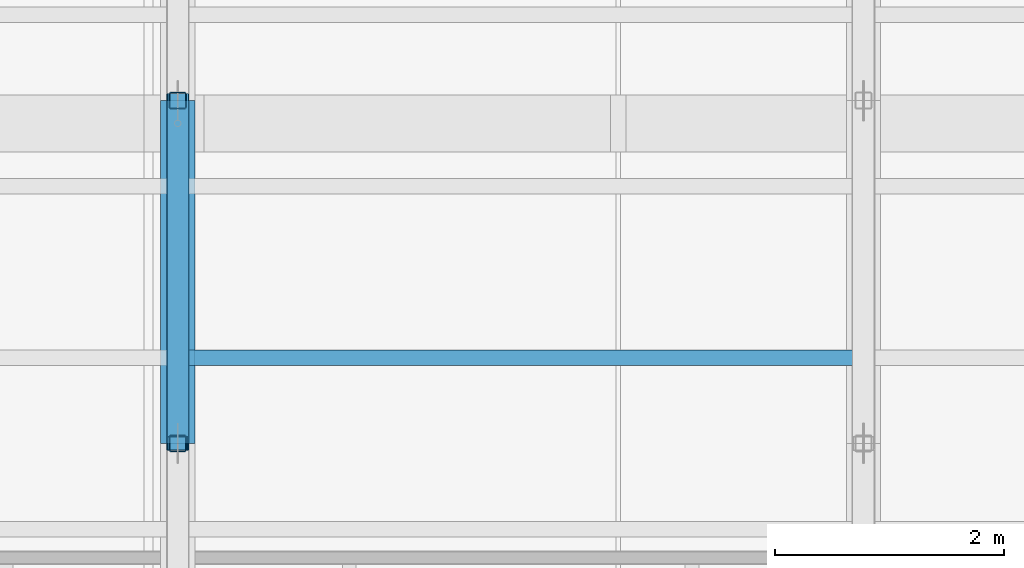
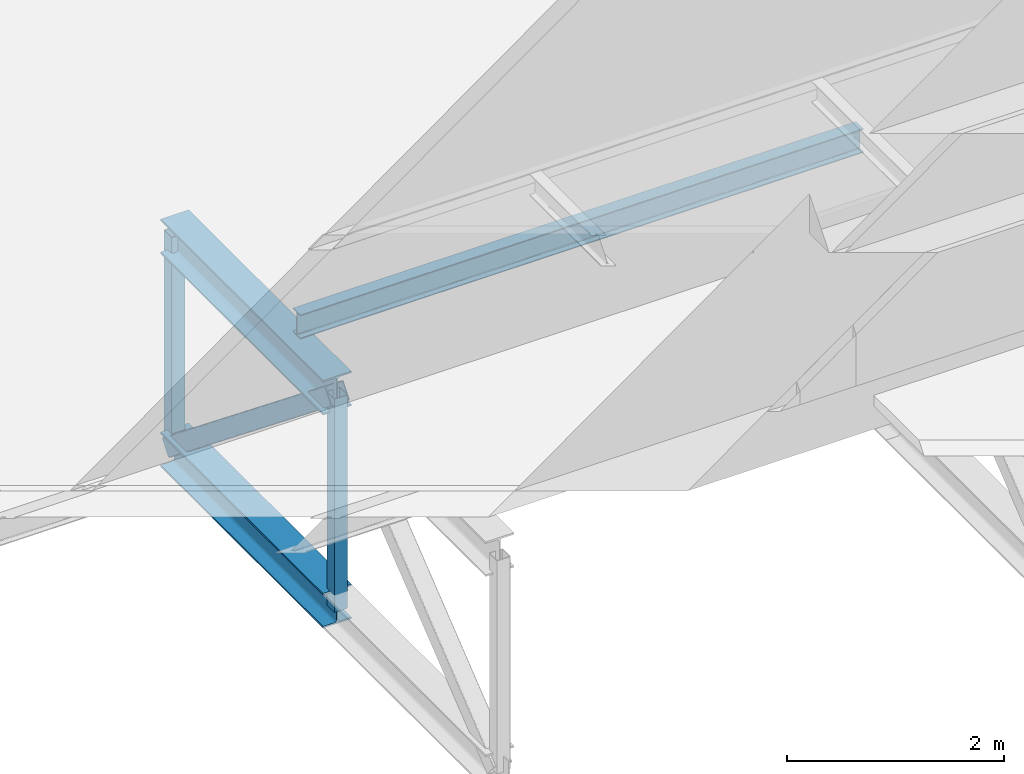
# One storey, part 6 of 55: 5 members, 1 beam.
"""IFC4 building model written with IfcOpenShell, lengths in metres."""

from ifc_helpers import new_model, si_unit, direction, frame, origin, origin_2d, place, context, subcontext, project, spatial, hollow_rectangle, i_section, extrude, material, material_profile, profile_set, type_object, element, save


model = new_model("IFC4")

# Units and contexts
model_context = context("Model", 3, precision=1e-05, world=origin(), true_north=direction((0.0, 1.0)))
body_context = subcontext(model_context, "Body", "Model", "MODEL_VIEW")
ifc_project = project(units=[si_unit("LENGTHUNIT", "METRE"), si_unit("AREAUNIT", "SQUARE_METRE"), si_unit("VOLUMEUNIT", "CUBIC_METRE"), si_unit("PLANEANGLEUNIT", "RADIAN"), si_unit("MASSUNIT", "GRAM", prefix="KILO")], contexts=[model_context])

# Site, building, storey
site_placement = place(None, origin())
site = spatial("IfcSite", under=ifc_project, at=site_placement, CompositionType="ELEMENT")
building_placement = place(site_placement, origin())
building = spatial("IfcBuilding", under=site, at=building_placement, Name="Lunette Opera House", CompositionType="ELEMENT")
storey_placement = place(building_placement, frame((0.0, 0.0, 34.0)))
storey = spatial("IfcBuildingStorey", under=building, at=storey_placement, Name="L06", CompositionType="ELEMENT", Elevation=34.0)

# Members
ifc_material_1 = material(Name="Steel S355", Category="steel")
ifc_material_profile_1 = material_profile(ifc_material_1, i_section(OverallWidth=0.300048828125, OverallDepth=0.389892578125, WebThickness=0.010986328125, FlangeThickness=0.01904296875, FilletRadius=0.027099609375, at=origin_2d()), Name="HEA 400")
ifc_profile_set_1 = profile_set([ifc_material_profile_1], Name="Steel S355")
member_type_1 = type_object("IfcMemberType", Name="CHORD HEA 400", PredefinedType="CHORD", material=ifc_profile_set_1)
for number, where, z_axis, x_axis, name in (
    (1, (90.0, 99.0, -0.6650390625), (0.0, 1.0, 0.0), (-1.0, 0.0, 0.0), "mem-ST-L06-ST-TR01-TC2"),
    (2, (90.0, 99.0, -3.06494140625), (0.0, 1.0, 0.0), (-1.0, 0.0, 0.0), "mem-ST-L06-ST-TR01-BC2"),
):
    element("IfcMember", number, at=place(storey_placement, frame(where, z_axis=z_axis, x_axis=x_axis)), inside=storey, type_object=member_type_1, Name=name, PredefinedType="CHORD", context=body_context, shape_type="SweptSolid", body=[
        extrude(i_section(OverallWidth=0.300048828125, OverallDepth=0.389892578125, WebThickness=0.010986328125, FlangeThickness=0.01904296875, FilletRadius=0.027099609375, at=origin_2d()), origin(), (0.0, 0.0, 1.0), 3.0),
    ])
ifc_material_2 = material(Name="Steel S355", Category="steel")
ifc_material_profile_2 = material_profile(ifc_material_2, hollow_rectangle(XDim=0.199951171875, YDim=0.199951171875, WallThickness=0.008056640625, InnerFilletRadius=0.008056640625, OuterFilletRadius=0.01611328125, at=origin_2d()), Name="RHS 200X200X8")
ifc_profile_set_2 = profile_set([ifc_material_profile_2], Name="Steel S355")
member_type_2 = type_object("IfcMemberType", Name="DIAGONAL RHS 200X200X8", PredefinedType="BRACE", material=ifc_profile_set_2)
member_placement = place(storey_placement, frame((90.0, 99.0, -0.6650390625), z_axis=(0.0, 0.780881208953, -0.624679547852), x_axis=(-1.0, 0.0, 0.0)))
element("IfcMember", 3, at=member_placement, inside=storey, type_object=member_type_2, Name="mem-ST-L06-ST-TR01-TD2", PredefinedType="BRACE", context=body_context, shape_type="SweptSolid", body=[
    extrude(hollow_rectangle(XDim=0.199951171875, YDim=0.199951171875, WallThickness=0.008056640625, InnerFilletRadius=0.008056640625, OuterFilletRadius=0.01611328125, at=origin_2d()), origin(), (0.0, 0.0, 1.0), 3.841796875),
])

# Beam
ifc_material_3 = material(Name="Steel S355", Category="steel")
ifc_material_profile_3 = material_profile(ifc_material_3, i_section(OverallWidth=0.135009765625, OverallDepth=0.27001953125, WebThickness=0.006591796875, FlangeThickness=0.01025390625, FilletRadius=0.014892578125, at=origin_2d()), Name="IPE 270")
ifc_profile_set_3 = profile_set([ifc_material_profile_3], Name="Steel S355")
beam_type = type_object("IfcBeamType", Name="STEEL BEAM IPE 270", PredefinedType="BEAM", material=ifc_profile_set_3)
beam_placement = place(storey_placement, frame((90.0, 99.75, -0.3349609375), z_axis=(1.0, 0.0, 0.0), x_axis=(0.0, 1.0, 0.0)))
element("IfcBeam", 4, at=beam_placement, inside=storey, type_object=beam_type, Name="beam-ST-L06-GRID-9975-2", PredefinedType="BEAM", context=body_context, shape_type="SweptSolid", body=[
    extrude(i_section(OverallWidth=0.135009765625, OverallDepth=0.27001953125, WebThickness=0.006591796875, FlangeThickness=0.01025390625, FilletRadius=0.014892578125, at=origin_2d()), origin(), (0.0, 0.0, 1.0), 6.0),
])

# Members
ifc_material_4 = material(Name="Steel S355", Category="steel")
ifc_material_profile_4 = material_profile(ifc_material_4, hollow_rectangle(XDim=0.14990234375, YDim=0.14990234375, WallThickness=0.008056640625, InnerFilletRadius=0.008056640625, OuterFilletRadius=0.01611328125, at=origin_2d()), Name="RHS 150X150X8")
ifc_profile_set_4 = profile_set([ifc_material_profile_4], Name="Steel S355")
member_type_3 = type_object("IfcMemberType", Name="VERTICAL RHS 150X150X8", PredefinedType="POST", material=ifc_profile_set_4)
for number, where, z_axis, x_axis, name in (
    (5, (90.0, 99.0, -3.06494140625), (0.0, 0.0, 1.0), (1.0, 0.0, 0.0), "mem-ST-L06-ST-TR01-TV2"),
    (6, (90.0, 102.0, -3.06494140625), (0.0, 0.0, 1.0), (1.0, 0.0, 0.0), "mem-ST-L06-ST-TR01-TV3"),
):
    element("IfcMember", number, at=place(storey_placement, frame(where, z_axis=z_axis, x_axis=x_axis)), inside=storey, type_object=member_type_3, Name=name, PredefinedType="POST", context=body_context, shape_type="SweptSolid", body=[
        extrude(hollow_rectangle(XDim=0.14990234375, YDim=0.14990234375, WallThickness=0.008056640625, InnerFilletRadius=0.008056640625, OuterFilletRadius=0.01611328125, at=origin_2d()), origin(), (0.0, 0.0, 1.0), 2.39990234375),
    ])

save(model, "model.ifc")
